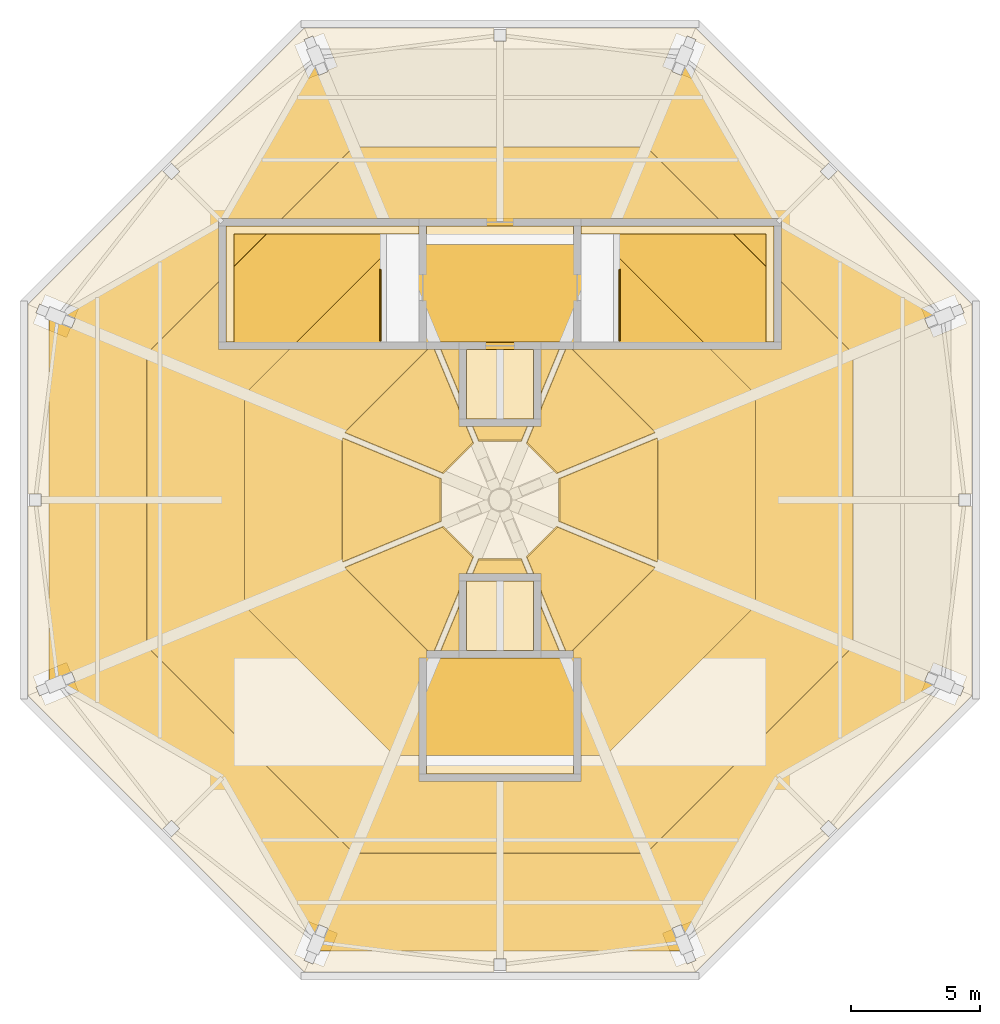
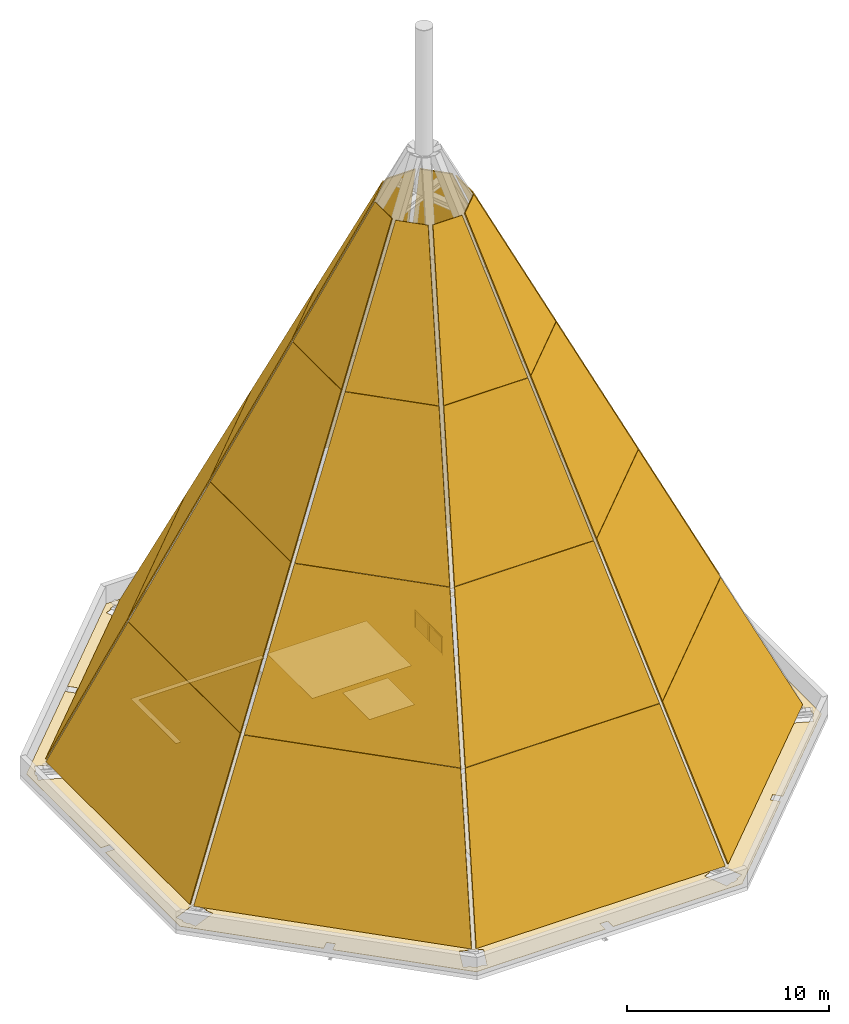
# One storey, part 3 of 4: 30 shading devices, 7 coverings, 2 railings.
"""IFC4 building model written with IfcOpenShell, lengths in metres."""

from ifc_helpers import new_model, si_unit, direction, frame, origin, origin_2d, place, context, subcontext, project, spatial, polyline, circle, outline, extrude, material, layer, layer_set, type_object, element, save


model = new_model("IFC4")

# Units and contexts
model_context = context("Model", 3, precision=1e-05, world=origin(), true_north=direction((0.0, 1.0)))
body_context = subcontext(model_context, "Body", "Model", "MODEL_VIEW")
ifc_project = project(units=[si_unit("LENGTHUNIT", "METRE"), si_unit("AREAUNIT", "SQUARE_METRE"), si_unit("VOLUMEUNIT", "CUBIC_METRE"), si_unit("PLANEANGLEUNIT", "RADIAN"), si_unit("MASSUNIT", "GRAM", prefix="KILO")], contexts=[model_context])

# Site, building, storey
site_placement = place(None, origin())
site = spatial("IfcSite", under=ifc_project, at=site_placement, CompositionType="ELEMENT")
building_placement = place(site_placement, origin())
building = spatial("IfcBuilding", under=site, at=building_placement, Name="Mashrafa Tower", CompositionType="ELEMENT")
storey_placement = place(building_placement, frame((0.0, 0.0, 323.60009765625)))
storey = spatial("IfcBuildingStorey", under=building, at=storey_placement, Name="RF", CompositionType="ELEMENT", Elevation=323.60009765625)

# Shading devices
ifc_material_1 = material(Name="Perforated aluminium plate, eight-point star pattern", Category="aluminium")
ifc_layer_1 = layer(ifc_material_1, 0.06005859375)
ifc_layer_set_1 = layer_set([ifc_layer_1], Name="Mashrabiya screen panel crown, 50 percent open")
shading_device_type = type_object("IfcShadingDeviceType", Name="Mashrabiya screen panel crown, 50 percent open", PredefinedType="SHUTTER", material=ifc_layer_set_1)
shading_device_1_placement = place(storey_placement, frame((17.431396484375, 7.35107421875, 0.748046875), z_axis=(0.640165482958, 0.640165482958, 0.424707321408), x_axis=(-0.707106781187, 0.707106781187, 0.0)))
element("IfcShadingDevice", 1, at=shading_device_1_placement, inside=storey, type_object=shading_device_type, Name="Crown screen panel 1 tier 1", PredefinedType="SHUTTER", context=body_context, shape_type="SweptSolid", body=[
    extrude(outline(polyline([(0.0, 0.0), (14.25572846113836, 0.0), (12.685626855940203, 8.92500171721466), (1.5701016051981567, 8.92500171721466), (0.0, 0.0)])), origin(), (0.0, 0.0, -1.0), 0.06005859375),
])
shading_device_2_placement = place(storey_placement, frame((13.63134765625, 5.777099609375, 8.84814453125), z_axis=(0.64017074185, 0.64017074185, 0.42469146749), x_axis=(-0.707106781187, 0.707106781187, 0.0)))
element("IfcShadingDevice", 2, at=shading_device_2_placement, inside=storey, type_object=shading_device_type, Name="Crown screen panel 1 tier 2", PredefinedType="SHUTTER", context=body_context, shape_type="SweptSolid", body=[
    extrude(outline(polyline([(0.0, 0.0), (11.107584110133018, 0.0), (9.537655138426363, 8.924928399875352), (1.569928971706656, 8.924928399875354), (0.0, 0.0)])), origin(), (0.0, 0.0, -1.0), 0.06005859375),
])
shading_device_3_placement = place(storey_placement, frame((9.83154296875, 4.203369140625, 16.9482421875), z_axis=(0.640161993867, 0.640161993867, 0.424717839533), x_axis=(-0.707106781187, 0.707106781187, 0.0)))
element("IfcShadingDevice", 3, at=shading_device_3_placement, inside=storey, type_object=shading_device_type, Name="Crown screen panel 1 tier 3", PredefinedType="SHUTTER", context=body_context, shape_type="SweptSolid", body=[
    extrude(outline(polyline([(0.0, 0.0), (7.959439759127676, 0.0), (6.38933815392952, 8.924780689812064), (1.5701016051981567, 8.924780689812064), (0.0, 0.0)])), origin(), (0.0, 0.0, -1.0), 0.06005859375),
])
shading_device_4_placement = place(storey_placement, frame((6.03173828125, 2.62939453125, 25.048095703125), z_axis=(0.640165482958, 0.640165482958, 0.424707321408), x_axis=(-0.707106781187, 0.707106781187, 0.0)))
element("IfcShadingDevice", 4, at=shading_device_4_placement, inside=storey, type_object=shading_device_type, Name="Crown screen panel 1 tier 4", PredefinedType="SHUTTER", context=body_context, shape_type="SweptSolid", body=[
    extrude(outline(polyline([(0.0, 0.0), (4.811640675105336, 0.0), (3.2415390699071787, 8.92500171721466), (1.5701016051981567, 8.92500171721466), (0.0, 0.0)])), origin(), (0.0, 0.0, -1.0), 0.06005859375),
])
shading_device_5_placement = place(storey_placement, frame((5.5537109375, 13.723876953125, 8.84814453125), z_axis=(0.0, 0.90534063265, 0.424686165153), x_axis=(-1.0, 0.0, 0.0)))
element("IfcShadingDevice", 5, at=shading_device_5_placement, inside=storey, type_object=shading_device_type, Name="Crown screen panel 2 tier 2", PredefinedType="SHUTTER", context=body_context, shape_type="SweptSolid", body=[
    extrude(outline(polyline([(0.0, 0.0), (11.107421875, 0.0), (9.537353515625, 8.924903879930307), (1.570068359375, 8.924903879930307), (0.0, 0.0)])), origin(), (0.0, 0.0, -1.0), 0.06005859375),
])
shading_device_6_placement = place(storey_placement, frame((3.979736328125, 9.924072265625, 16.9482421875), z_axis=(0.0, 0.905325180549, 0.424719104191), x_axis=(-1.0, 0.0, 0.0)))
element("IfcShadingDevice", 6, at=shading_device_6_placement, inside=storey, type_object=shading_device_type, Name="Crown screen panel 2 tier 3", PredefinedType="SHUTTER", context=body_context, shape_type="SweptSolid", body=[
    extrude(outline(polyline([(0.0, 0.0), (7.95947265625, 0.0), (6.389404296875, 8.924786538555285), (1.570068359375, 8.924786538555285), (0.0, 0.0)])), origin(), (0.0, 0.0, -1.0), 0.06005859375),
])
shading_device_7_placement = place(storey_placement, frame((2.40576171875, 6.124267578125, 25.048095703125), z_axis=(0.0, 0.905330114895, 0.424708586049), x_axis=(-1.0, 0.0, 0.0)))
element("IfcShadingDevice", 7, at=shading_device_7_placement, inside=storey, type_object=shading_device_type, Name="Crown screen panel 2 tier 4", PredefinedType="SHUTTER", context=body_context, shape_type="SweptSolid", body=[
    extrude(outline(polyline([(0.0, 0.0), (4.8115234375, 0.0), (3.241455078125, 8.925007565813036), (1.570068359375, 8.925007565813036), (0.0, 0.0)])), origin(), (0.0, 0.0, -1.0), 0.06005859375),
])
shading_device_8_placement = place(storey_placement, frame((-7.35107421875, 17.431396484375, 0.748046875), z_axis=(-0.640165482958, 0.640165482958, 0.424707321408), x_axis=(-0.707106781187, -0.707106781187, 0.0)))
element("IfcShadingDevice", 8, at=shading_device_8_placement, inside=storey, type_object=shading_device_type, Name="Crown screen panel 3 tier 1", PredefinedType="SHUTTER", context=body_context, shape_type="SweptSolid", body=[
    extrude(outline(polyline([(0.0, 0.0), (14.25572846113836, 0.0), (12.685626855940203, 8.92500171721466), (1.5701016051981567, 8.92500171721466), (0.0, 0.0)])), origin(), (0.0, 0.0, -1.0), 0.06005859375),
])
shading_device_9_placement = place(storey_placement, frame((-5.777099609375, 13.63134765625, 8.84814453125), z_axis=(-0.64017074185, 0.64017074185, 0.42469146749), x_axis=(-0.707106781187, -0.707106781187, 0.0)))
element("IfcShadingDevice", 9, at=shading_device_9_placement, inside=storey, type_object=shading_device_type, Name="Crown screen panel 3 tier 2", PredefinedType="SHUTTER", context=body_context, shape_type="SweptSolid", body=[
    extrude(outline(polyline([(0.0, 0.0), (11.107584110133018, 0.0), (9.537655138426363, 8.924928399875352), (1.569928971706656, 8.924928399875354), (0.0, 0.0)])), origin(), (0.0, 0.0, -1.0), 0.06005859375),
])
shading_device_10_placement = place(storey_placement, frame((-4.203369140625, 9.83154296875, 16.9482421875), z_axis=(-0.640161993867, 0.640161993867, 0.424717839533), x_axis=(-0.707106781187, -0.707106781187, 0.0)))
element("IfcShadingDevice", 10, at=shading_device_10_placement, inside=storey, type_object=shading_device_type, Name="Crown screen panel 3 tier 3", PredefinedType="SHUTTER", context=body_context, shape_type="SweptSolid", body=[
    extrude(outline(polyline([(0.0, 0.0), (7.959439759127676, 0.0), (6.38933815392952, 8.924780689812064), (1.5701016051981567, 8.924780689812064), (0.0, 0.0)])), origin(), (0.0, 0.0, -1.0), 0.06005859375),
])
shading_device_11_placement = place(storey_placement, frame((-2.62939453125, 6.03173828125, 25.048095703125), z_axis=(-0.640165482958, 0.640165482958, 0.424707321408), x_axis=(-0.707106781187, -0.707106781187, 0.0)))
element("IfcShadingDevice", 11, at=shading_device_11_placement, inside=storey, type_object=shading_device_type, Name="Crown screen panel 3 tier 4", PredefinedType="SHUTTER", context=body_context, shape_type="SweptSolid", body=[
    extrude(outline(polyline([(0.0, 0.0), (4.811640675105336, 0.0), (3.2415390699071787, 8.92500171721466), (1.5701016051981567, 8.92500171721466), (0.0, 0.0)])), origin(), (0.0, 0.0, -1.0), 0.06005859375),
])
shading_device_12_placement = place(storey_placement, frame((-17.52392578125, 7.127685546875, 0.748046875), z_axis=(-0.905330114895, 0.0, 0.424708586049), x_axis=(0.0, -1.0, 0.0)))
element("IfcShadingDevice", 12, at=shading_device_12_placement, inside=storey, type_object=shading_device_type, Name="Crown screen panel 4 tier 1", PredefinedType="SHUTTER", context=body_context, shape_type="SweptSolid", body=[
    extrude(outline(polyline([(0.0, 0.0), (14.25537109375, 0.0), (12.685302734375, 8.925007565813036), (1.570068359375, 8.925007565813036), (0.0, 0.0)])), origin(), (0.0, 0.0, -1.0), 0.06005859375),
])
shading_device_13_placement = place(storey_placement, frame((-13.723876953125, 5.5537109375, 8.84814453125), z_axis=(-0.90534063265, 0.0, 0.424686165153), x_axis=(0.0, -1.0, 0.0)))
element("IfcShadingDevice", 13, at=shading_device_13_placement, inside=storey, type_object=shading_device_type, Name="Crown screen panel 4 tier 2", PredefinedType="SHUTTER", context=body_context, shape_type="SweptSolid", body=[
    extrude(outline(polyline([(0.0, 0.0), (11.107421875, 0.0), (9.537353515625, 8.924903879930307), (1.570068359375, 8.924903879930307), (0.0, 0.0)])), origin(), (0.0, 0.0, -1.0), 0.06005859375),
])
shading_device_14_placement = place(storey_placement, frame((-9.924072265625, 3.979736328125, 16.9482421875), z_axis=(-0.905325180549, 0.0, 0.424719104191), x_axis=(0.0, -1.0, 0.0)))
element("IfcShadingDevice", 14, at=shading_device_14_placement, inside=storey, type_object=shading_device_type, Name="Crown screen panel 4 tier 3", PredefinedType="SHUTTER", context=body_context, shape_type="SweptSolid", body=[
    extrude(outline(polyline([(0.0, 0.0), (7.95947265625, 0.0), (6.389404296875, 8.924786538555285), (1.570068359375, 8.924786538555285), (0.0, 0.0)])), origin(), (0.0, 0.0, -1.0), 0.06005859375),
])
shading_device_15_placement = place(storey_placement, frame((-6.124267578125, 2.40576171875, 25.048095703125), z_axis=(-0.905330114895, 0.0, 0.424708586049), x_axis=(0.0, -1.0, 0.0)))
element("IfcShadingDevice", 15, at=shading_device_15_placement, inside=storey, type_object=shading_device_type, Name="Crown screen panel 4 tier 4", PredefinedType="SHUTTER", context=body_context, shape_type="SweptSolid", body=[
    extrude(outline(polyline([(0.0, 0.0), (4.8115234375, 0.0), (3.241455078125, 8.925007565813036), (1.570068359375, 8.925007565813036), (0.0, 0.0)])), origin(), (0.0, 0.0, -1.0), 0.06005859375),
])
shading_device_16_placement = place(storey_placement, frame((-17.431396484375, -7.35107421875, 0.748046875), z_axis=(-0.640165482958, -0.640165482958, 0.424707321408), x_axis=(0.707106781187, -0.707106781187, 0.0)))
element("IfcShadingDevice", 16, at=shading_device_16_placement, inside=storey, type_object=shading_device_type, Name="Crown screen panel 5 tier 1", PredefinedType="SHUTTER", context=body_context, shape_type="SweptSolid", body=[
    extrude(outline(polyline([(0.0, 0.0), (14.25572846113836, 0.0), (12.685626855940203, 8.92500171721466), (1.5701016051981567, 8.92500171721466), (0.0, 0.0)])), origin(), (0.0, 0.0, -1.0), 0.06005859375),
])
shading_device_17_placement = place(storey_placement, frame((-13.63134765625, -5.777099609375, 8.84814453125), z_axis=(-0.64017074185, -0.64017074185, 0.42469146749), x_axis=(0.707106781187, -0.707106781187, 0.0)))
element("IfcShadingDevice", 17, at=shading_device_17_placement, inside=storey, type_object=shading_device_type, Name="Crown screen panel 5 tier 2", PredefinedType="SHUTTER", context=body_context, shape_type="SweptSolid", body=[
    extrude(outline(polyline([(0.0, 0.0), (11.107584110133018, 0.0), (9.537655138426363, 8.924928399875352), (1.569928971706656, 8.924928399875354), (0.0, 0.0)])), origin(), (0.0, 0.0, -1.0), 0.06005859375),
])
shading_device_18_placement = place(storey_placement, frame((-9.83154296875, -4.203369140625, 16.9482421875), z_axis=(-0.640161993867, -0.640161993867, 0.424717839533), x_axis=(0.707106781187, -0.707106781187, 0.0)))
element("IfcShadingDevice", 18, at=shading_device_18_placement, inside=storey, type_object=shading_device_type, Name="Crown screen panel 5 tier 3", PredefinedType="SHUTTER", context=body_context, shape_type="SweptSolid", body=[
    extrude(outline(polyline([(0.0, 0.0), (7.959439759127676, 0.0), (6.38933815392952, 8.924780689812064), (1.5701016051981567, 8.924780689812064), (0.0, 0.0)])), origin(), (0.0, 0.0, -1.0), 0.06005859375),
])
shading_device_19_placement = place(storey_placement, frame((-6.03173828125, -2.62939453125, 25.048095703125), z_axis=(-0.640165482958, -0.640165482958, 0.424707321408), x_axis=(0.707106781187, -0.707106781187, 0.0)))
element("IfcShadingDevice", 19, at=shading_device_19_placement, inside=storey, type_object=shading_device_type, Name="Crown screen panel 5 tier 4", PredefinedType="SHUTTER", context=body_context, shape_type="SweptSolid", body=[
    extrude(outline(polyline([(0.0, 0.0), (4.811640675105336, 0.0), (3.2415390699071787, 8.92500171721466), (1.5701016051981567, 8.92500171721466), (0.0, 0.0)])), origin(), (0.0, 0.0, -1.0), 0.06005859375),
])
shading_device_20_placement = place(storey_placement, frame((-7.127685546875, -17.52392578125, 0.748046875), z_axis=(0.0, -0.905330114895, 0.424708586049), x_axis=(1.0, 0.0, 0.0)))
element("IfcShadingDevice", 20, at=shading_device_20_placement, inside=storey, type_object=shading_device_type, Name="Crown screen panel 6 tier 1", PredefinedType="SHUTTER", context=body_context, shape_type="SweptSolid", body=[
    extrude(outline(polyline([(0.0, 0.0), (14.25537109375, 0.0), (12.685302734375, 8.925007565813036), (1.570068359375, 8.925007565813036), (0.0, 0.0)])), origin(), (0.0, 0.0, -1.0), 0.06005859375),
])
shading_device_21_placement = place(storey_placement, frame((-5.5537109375, -13.723876953125, 8.84814453125), z_axis=(0.0, -0.90534063265, 0.424686165153), x_axis=(1.0, 0.0, 0.0)))
element("IfcShadingDevice", 21, at=shading_device_21_placement, inside=storey, type_object=shading_device_type, Name="Crown screen panel 6 tier 2", PredefinedType="SHUTTER", context=body_context, shape_type="SweptSolid", body=[
    extrude(outline(polyline([(0.0, 0.0), (11.107421875, 0.0), (9.537353515625, 8.924903879930307), (1.570068359375, 8.924903879930307), (0.0, 0.0)])), origin(), (0.0, 0.0, -1.0), 0.06005859375),
])
shading_device_22_placement = place(storey_placement, frame((-3.979736328125, -9.924072265625, 16.9482421875), z_axis=(0.0, -0.905325180549, 0.424719104191), x_axis=(1.0, 0.0, 0.0)))
element("IfcShadingDevice", 22, at=shading_device_22_placement, inside=storey, type_object=shading_device_type, Name="Crown screen panel 6 tier 3", PredefinedType="SHUTTER", context=body_context, shape_type="SweptSolid", body=[
    extrude(outline(polyline([(0.0, 0.0), (7.95947265625, 0.0), (6.389404296875, 8.924786538555285), (1.570068359375, 8.924786538555285), (0.0, 0.0)])), origin(), (0.0, 0.0, -1.0), 0.06005859375),
])
shading_device_23_placement = place(storey_placement, frame((-2.40576171875, -6.124267578125, 25.048095703125), z_axis=(0.0, -0.905330114895, 0.424708586049), x_axis=(1.0, 0.0, 0.0)))
element("IfcShadingDevice", 23, at=shading_device_23_placement, inside=storey, type_object=shading_device_type, Name="Crown screen panel 6 tier 4", PredefinedType="SHUTTER", context=body_context, shape_type="SweptSolid", body=[
    extrude(outline(polyline([(0.0, 0.0), (4.8115234375, 0.0), (3.241455078125, 8.925007565813036), (1.570068359375, 8.925007565813036), (0.0, 0.0)])), origin(), (0.0, 0.0, -1.0), 0.06005859375),
])
shading_device_24_placement = place(storey_placement, frame((7.35107421875, -17.431396484375, 0.748046875), z_axis=(0.640165482958, -0.640165482958, 0.424707321408), x_axis=(0.707106781187, 0.707106781187, 0.0)))
element("IfcShadingDevice", 24, at=shading_device_24_placement, inside=storey, type_object=shading_device_type, Name="Crown screen panel 7 tier 1", PredefinedType="SHUTTER", context=body_context, shape_type="SweptSolid", body=[
    extrude(outline(polyline([(0.0, 0.0), (14.25572846113836, 0.0), (12.685626855940203, 8.92500171721466), (1.5701016051981567, 8.92500171721466), (0.0, 0.0)])), origin(), (0.0, 0.0, -1.0), 0.06005859375),
])
shading_device_25_placement = place(storey_placement, frame((5.777099609375, -13.63134765625, 8.84814453125), z_axis=(0.64017074185, -0.64017074185, 0.42469146749), x_axis=(0.707106781187, 0.707106781187, 0.0)))
element("IfcShadingDevice", 25, at=shading_device_25_placement, inside=storey, type_object=shading_device_type, Name="Crown screen panel 7 tier 2", PredefinedType="SHUTTER", context=body_context, shape_type="SweptSolid", body=[
    extrude(outline(polyline([(0.0, 0.0), (11.107584110133018, 0.0), (9.537655138426363, 8.924928399875352), (1.569928971706656, 8.924928399875354), (0.0, 0.0)])), origin(), (0.0, 0.0, -1.0), 0.06005859375),
])
shading_device_26_placement = place(storey_placement, frame((4.203369140625, -9.83154296875, 16.9482421875), z_axis=(0.640161993867, -0.640161993867, 0.424717839533), x_axis=(0.707106781187, 0.707106781187, 0.0)))
element("IfcShadingDevice", 26, at=shading_device_26_placement, inside=storey, type_object=shading_device_type, Name="Crown screen panel 7 tier 3", PredefinedType="SHUTTER", context=body_context, shape_type="SweptSolid", body=[
    extrude(outline(polyline([(0.0, 0.0), (7.959439759127676, 0.0), (6.38933815392952, 8.924780689812064), (1.5701016051981567, 8.924780689812064), (0.0, 0.0)])), origin(), (0.0, 0.0, -1.0), 0.06005859375),
])
shading_device_27_placement = place(storey_placement, frame((2.62939453125, -6.03173828125, 25.048095703125), z_axis=(0.640165482958, -0.640165482958, 0.424707321408), x_axis=(0.707106781187, 0.707106781187, 0.0)))
element("IfcShadingDevice", 27, at=shading_device_27_placement, inside=storey, type_object=shading_device_type, Name="Crown screen panel 7 tier 4", PredefinedType="SHUTTER", context=body_context, shape_type="SweptSolid", body=[
    extrude(outline(polyline([(0.0, 0.0), (4.811640675105336, 0.0), (3.2415390699071787, 8.92500171721466), (1.5701016051981567, 8.92500171721466), (0.0, 0.0)])), origin(), (0.0, 0.0, -1.0), 0.06005859375),
])
shading_device_28_placement = place(storey_placement, frame((13.723876953125, -5.5537109375, 8.84814453125), z_axis=(0.90534063265, 0.0, 0.424686165153), x_axis=(0.0, 1.0, 0.0)))
element("IfcShadingDevice", 28, at=shading_device_28_placement, inside=storey, type_object=shading_device_type, Name="Crown screen panel 8 tier 2", PredefinedType="SHUTTER", context=body_context, shape_type="SweptSolid", body=[
    extrude(outline(polyline([(0.0, 0.0), (11.107421875, 0.0), (9.537353515625, 8.924903879930307), (1.570068359375, 8.924903879930307), (0.0, 0.0)])), origin(), (0.0, 0.0, -1.0), 0.06005859375),
])
shading_device_29_placement = place(storey_placement, frame((9.924072265625, -3.979736328125, 16.9482421875), z_axis=(0.905325180549, 0.0, 0.424719104191), x_axis=(0.0, 1.0, 0.0)))
element("IfcShadingDevice", 29, at=shading_device_29_placement, inside=storey, type_object=shading_device_type, Name="Crown screen panel 8 tier 3", PredefinedType="SHUTTER", context=body_context, shape_type="SweptSolid", body=[
    extrude(outline(polyline([(0.0, 0.0), (7.95947265625, 0.0), (6.389404296875, 8.924786538555285), (1.570068359375, 8.924786538555285), (0.0, 0.0)])), origin(), (0.0, 0.0, -1.0), 0.06005859375),
])
shading_device_30_placement = place(storey_placement, frame((6.124267578125, -2.40576171875, 25.048095703125), z_axis=(0.905330114895, 0.0, 0.424708586049), x_axis=(0.0, 1.0, 0.0)))
element("IfcShadingDevice", 30, at=shading_device_30_placement, inside=storey, type_object=shading_device_type, Name="Crown screen panel 8 tier 4", PredefinedType="SHUTTER", context=body_context, shape_type="SweptSolid", body=[
    extrude(outline(polyline([(0.0, 0.0), (4.8115234375, 0.0), (3.241455078125, 8.925007565813036), (1.570068359375, 8.925007565813036), (0.0, 0.0)])), origin(), (0.0, 0.0, -1.0), 0.06005859375),
])

# Coverings
ifc_material_2 = material(Name="Bituminous membrane")
ifc_layer_2 = layer(ifc_material_2, 0.02001953125)
ifc_layer_set_2 = layer_set([ifc_layer_2], Name="Roofing membrane 20")
covering_type = type_object("IfcCoveringType", Name="Roofing membrane 20", PredefinedType="ROOFING", material=ifc_layer_set_2)
covering_1_placement = place(storey_placement, origin())
element("IfcCovering", 31, at=covering_1_placement, inside=storey, type_object=covering_type, Name="Roof waterproofing membrane RF 01", PredefinedType="ROOFING", context=body_context, shape_type="SweptSolid", body=[
    extrude(outline(polyline([(-0.22705078125, 18.35888671875), (-7.60400390625, 18.35888671875), (-12.821044921875, 13.14208984375), (-12.77099609375, 13.092041015625), (-12.449951171875, 12.77099609375), (-12.448974609375, 12.77001953125), (-12.77001953125, 12.448974609375), (-12.77099609375, 12.449951171875), (-13.092041015625, 12.77099609375), (-13.14208984375, 12.821044921875), (-18.35888671875, 7.60400390625), (-18.35888671875, 0.22705078125), (-18.287109375, 0.22705078125), (-17.833984375, 0.22705078125), (-17.8330078125, 0.22705078125), (-17.8330078125, -0.22705078125), (-17.833984375, -0.22705078125), (-18.287109375, -0.22705078125), (-18.35888671875, -0.22705078125), (-18.35888671875, -7.60400390625), (-13.14208984375, -12.821044921875), (-13.092041015625, -12.77099609375), (-12.77099609375, -12.449951171875), (-12.77001953125, -12.448974609375), (-12.448974609375, -12.77001953125), (-12.449951171875, -12.77099609375), (-12.77099609375, -13.092041015625), (-12.821044921875, -13.14208984375), (-7.60400390625, -18.35888671875), (-0.22705078125, -18.35888671875), (-0.22705078125, -18.287109375), (-0.22705078125, -17.833984375), (-0.22705078125, -17.8330078125), (0.22705078125, -17.8330078125), (0.22705078125, -17.833984375), (0.22705078125, -18.287109375), (0.22705078125, -18.35888671875), (7.60400390625, -18.35888671875), (12.821044921875, -13.14208984375), (12.77099609375, -13.092041015625), (12.449951171875, -12.77099609375), (12.448974609375, -12.77001953125), (12.77001953125, -12.448974609375), (12.77099609375, -12.449951171875), (13.092041015625, -12.77099609375), (13.14208984375, -12.821044921875), (18.35888671875, -7.60400390625), (18.35888671875, -0.22705078125), (18.287109375, -0.22705078125), (17.833984375, -0.22705078125), (17.8330078125, -0.22705078125), (17.8330078125, 0.22705078125), (17.833984375, 0.22705078125), (18.287109375, 0.22705078125), (18.35888671875, 0.22705078125), (18.35888671875, 7.60400390625), (13.14208984375, 12.821044921875), (13.092041015625, 12.77099609375), (12.77099609375, 12.449951171875), (12.77001953125, 12.448974609375), (12.448974609375, 12.77001953125), (12.449951171875, 12.77099609375), (12.77099609375, 13.092041015625), (12.821044921875, 13.14208984375), (7.60400390625, 18.35888671875), (0.22705078125, 18.35888671875), (0.22705078125, 18.287109375), (0.22705078125, 17.833984375), (0.22705078125, 17.8330078125), (-0.22705078125, 17.8330078125), (-0.22705078125, 17.833984375), (-0.22705078125, 18.287109375), (-0.22705078125, 18.35888671875)]), holes=[polyline([(3.152099609375, -6.14794921875), (3.152099609375, -10.35009765625), (3.152099609375, -10.64794921875), (3.152099609375, -10.652099609375), (3.152099609375, -10.951904296875), (-3.152099609375, -10.951904296875), (-3.152099609375, -10.652099609375), (-3.152099609375, -10.64794921875), (-3.152099609375, -10.35009765625), (-3.152099609375, -6.14794921875), (-2.85205078125, -6.14794921875), (-2.85205078125, -5.847900390625), (-1.60205078125, -5.847900390625), (-1.60205078125, -3.152099609375), (-1.60205078125, -2.847900390625), (1.60205078125, -2.847900390625), (1.60205078125, -3.152099609375), (1.60205078125, -5.847900390625), (2.85205078125, -5.847900390625), (2.85205078125, -6.14794921875), (3.152099609375, -6.14794921875)]), polyline([(10.951904296875, 5.847900390625), (10.35009765625, 5.847900390625), (2.85205078125, 5.847900390625), (2.847900390625, 5.847900390625), (1.60205078125, 5.847900390625), (1.60205078125, 3.152099609375), (1.60205078125, 2.847900390625), (-1.60205078125, 2.847900390625), (-1.60205078125, 3.152099609375), (-1.60205078125, 5.847900390625), (-2.847900390625, 5.847900390625), (-2.85205078125, 5.847900390625), (-10.35009765625, 5.847900390625), (-10.951904296875, 5.847900390625), (-10.951904296875, 6.14794921875), (-10.951904296875, 10.652099609375), (-10.951904296875, 10.951904296875), (-3.152099609375, 10.951904296875), (-2.847900390625, 10.951904296875), (2.847900390625, 10.951904296875), (3.152099609375, 10.951904296875), (10.951904296875, 10.951904296875), (10.951904296875, 10.652099609375), (10.951904296875, 6.14794921875), (10.951904296875, 5.847900390625)]), polyline([(-7.903076171875, -17.506103515625), (-7.443115234375, -16.39599609375), (-7.05908203125, -16.554931640625), (-7.0400390625, -16.509033203125), (-6.696044921875, -16.65087890625), (-6.715087890625, -16.697998046875), (-6.3310546875, -16.85693359375), (-6.402099609375, -17.028076171875), (-6.862060546875, -18.137939453125), (-7.24609375, -17.97900390625), (-7.27099609375, -18.041015625), (-7.614990234375, -17.89794921875), (-7.590087890625, -17.8369140625), (-7.97412109375, -17.677978515625), (-7.903076171875, -17.506103515625)]), polyline([(-17.028076171875, -6.402099609375), (-16.85693359375, -6.3310546875), (-16.697998046875, -6.715087890625), (-16.65087890625, -6.696044921875), (-16.509033203125, -7.0400390625), (-16.554931640625, -7.05908203125), (-16.39599609375, -7.443115234375), (-17.506103515625, -7.903076171875), (-17.677978515625, -7.97412109375), (-17.8369140625, -7.590087890625), (-17.89794921875, -7.614990234375), (-18.041015625, -7.27099609375), (-17.97900390625, -7.24609375), (-18.137939453125, -6.862060546875), (-17.028076171875, -6.402099609375)]), polyline([(-18.041015625, 7.27099609375), (-17.89794921875, 7.614990234375), (-17.8369140625, 7.590087890625), (-17.677978515625, 7.97412109375), (-17.506103515625, 7.903076171875), (-16.39599609375, 7.443115234375), (-16.554931640625, 7.05908203125), (-16.509033203125, 7.0400390625), (-16.65087890625, 6.696044921875), (-16.697998046875, 6.715087890625), (-16.85693359375, 6.3310546875), (-17.028076171875, 6.402099609375), (-18.137939453125, 6.862060546875), (-17.97900390625, 7.24609375), (-18.041015625, 7.27099609375)]), polyline([(-7.614990234375, 17.89794921875), (-7.27099609375, 18.041015625), (-7.24609375, 17.97900390625), (-6.862060546875, 18.137939453125), (-6.402099609375, 17.028076171875), (-6.3310546875, 16.85693359375), (-6.715087890625, 16.697998046875), (-6.696044921875, 16.65087890625), (-7.0400390625, 16.509033203125), (-7.05908203125, 16.554931640625), (-7.443115234375, 16.39599609375), (-7.903076171875, 17.506103515625), (-7.97412109375, 17.677978515625), (-7.590087890625, 17.8369140625), (-7.614990234375, 17.89794921875)]), polyline([(7.443115234375, -16.39599609375), (7.903076171875, -17.506103515625), (7.97412109375, -17.677978515625), (7.590087890625, -17.8369140625), (7.614990234375, -17.89794921875), (7.27099609375, -18.041015625), (7.24609375, -17.97900390625), (6.862060546875, -18.137939453125), (6.402099609375, -17.028076171875), (6.3310546875, -16.85693359375), (6.715087890625, -16.697998046875), (6.696044921875, -16.65087890625), (7.0400390625, -16.509033203125), (7.05908203125, -16.554931640625), (7.443115234375, -16.39599609375)]), polyline([(16.85693359375, -6.3310546875), (17.028076171875, -6.402099609375), (18.137939453125, -6.862060546875), (17.97900390625, -7.24609375), (18.041015625, -7.27099609375), (17.89794921875, -7.614990234375), (17.8369140625, -7.590087890625), (17.677978515625, -7.97412109375), (17.506103515625, -7.903076171875), (16.39599609375, -7.443115234375), (16.554931640625, -7.05908203125), (16.509033203125, -7.0400390625), (16.65087890625, -6.696044921875), (16.697998046875, -6.715087890625), (16.85693359375, -6.3310546875)]), polyline([(16.39599609375, 7.443115234375), (17.506103515625, 7.903076171875), (17.677978515625, 7.97412109375), (17.8369140625, 7.590087890625), (17.89794921875, 7.614990234375), (18.041015625, 7.27099609375), (17.97900390625, 7.24609375), (18.137939453125, 6.862060546875), (17.028076171875, 6.402099609375), (16.85693359375, 6.3310546875), (16.697998046875, 6.715087890625), (16.65087890625, 6.696044921875), (16.509033203125, 7.0400390625), (16.554931640625, 7.05908203125), (16.39599609375, 7.443115234375)]), polyline([(6.3310546875, 16.85693359375), (6.402099609375, 17.028076171875), (6.862060546875, 18.137939453125), (7.24609375, 17.97900390625), (7.27099609375, 18.041015625), (7.614990234375, 17.89794921875), (7.590087890625, 17.8369140625), (7.97412109375, 17.677978515625), (7.903076171875, 17.506103515625), (7.443115234375, 16.39599609375), (7.05908203125, 16.554931640625), (7.0400390625, 16.509033203125), (6.696044921875, 16.65087890625), (6.715087890625, 16.697998046875), (6.3310546875, 16.85693359375)])]), origin(), (0.0, 0.0, 1.0), 0.02001953125),
])
covering_2_placement = place(storey_placement, origin())
element("IfcCovering", 32, at=covering_2_placement, inside=storey, type_object=covering_type, Name="Roof waterproofing membrane RF 02", PredefinedType="ROOFING", context=body_context, shape_type="SweptSolid", body=[
    extrude(outline(polyline([(2.847900390625, 6.152099609375), (2.847900390625, 10.35009765625), (2.847900390625, 10.64794921875), (-2.847900390625, 10.64794921875), (-2.847900390625, 10.35009765625), (-2.847900390625, 6.152099609375), (-1.60205078125, 6.152099609375), (-1.597900390625, 6.152099609375), (1.597900390625, 6.152099609375), (1.60205078125, 6.152099609375), (2.847900390625, 6.152099609375)])), origin(), (0.0, 0.0, 1.0), 0.02001953125),
])
covering_3_placement = place(storey_placement, origin())
element("IfcCovering", 33, at=covering_3_placement, inside=storey, type_object=covering_type, Name="Roof waterproofing membrane RF 03", PredefinedType="ROOFING", context=body_context, shape_type="SweptSolid", body=[
    extrude(outline(polyline([(2.847900390625, -10.64794921875), (2.847900390625, -10.35009765625), (2.847900390625, -6.152099609375), (1.60205078125, -6.152099609375), (1.597900390625, -6.152099609375), (-1.597900390625, -6.152099609375), (-1.60205078125, -6.152099609375), (-2.847900390625, -6.152099609375), (-2.847900390625, -10.35009765625), (-2.847900390625, -10.64794921875), (2.847900390625, -10.64794921875)])), origin(), (0.0, 0.0, 1.0), 0.02001953125),
])
covering_4_placement = place(storey_placement, origin())
element("IfcCovering", 34, at=covering_4_placement, inside=storey, type_object=covering_type, Name="Roof waterproofing membrane RF 04", PredefinedType="ROOFING", context=body_context, shape_type="SweptSolid", body=[
    extrude(outline(polyline([(1.298095703125, -3.152099609375), (-1.298095703125, -3.152099609375), (-1.298095703125, -5.847900390625), (1.298095703125, -5.847900390625), (1.298095703125, -3.152099609375)])), origin(), (0.0, 0.0, 1.0), 0.02001953125),
])
covering_5_placement = place(storey_placement, origin())
element("IfcCovering", 35, at=covering_5_placement, inside=storey, type_object=covering_type, Name="Roof waterproofing membrane RF 05", PredefinedType="ROOFING", context=body_context, shape_type="SweptSolid", body=[
    extrude(outline(polyline([(1.298095703125, 3.152099609375), (1.298095703125, 5.847900390625), (-1.298095703125, 5.847900390625), (-1.298095703125, 3.152099609375), (1.298095703125, 3.152099609375)])), origin(), (0.0, 0.0, 1.0), 0.02001953125),
])
covering_6_placement = place(storey_placement, origin())
element("IfcCovering", 36, at=covering_6_placement, inside=storey, type_object=covering_type, Name="Roof waterproofing membrane RF 06", PredefinedType="ROOFING", context=body_context, shape_type="SweptSolid", body=[
    extrude(outline(polyline([(-10.35009765625, 6.152099609375), (-10.35009765625, 10.35009765625), (-3.152099609375, 10.35009765625), (-3.152099609375, 10.64794921875), (-10.64794921875, 10.64794921875), (-10.64794921875, 6.152099609375), (-10.35009765625, 6.152099609375)])), origin(), (0.0, 0.0, 1.0), 0.02001953125),
])
covering_7_placement = place(storey_placement, origin())
element("IfcCovering", 37, at=covering_7_placement, inside=storey, type_object=covering_type, Name="Roof waterproofing membrane RF 07", PredefinedType="ROOFING", context=body_context, shape_type="SweptSolid", body=[
    extrude(outline(polyline([(3.152099609375, 10.35009765625), (10.35009765625, 10.35009765625), (10.35009765625, 6.152099609375), (10.64794921875, 6.152099609375), (10.64794921875, 10.64794921875), (3.152099609375, 10.64794921875), (3.152099609375, 10.35009765625)])), origin(), (0.0, 0.0, 1.0), 0.02001953125),
])

# Railings
ifc_material_3 = material(Name="Steel guard with glass infill", Category="steel")
railing_type = type_object("IfcRailingType", Name="Stair guard 1100", PredefinedType="GUARDRAIL", material=ifc_material_3)
for number, where, name in (
    (38, (-4.64990234375, 8.949951171875, 0.0), "Stair S1 guard RF"),
    (39, (4.64990234375, 8.949951171875, 0.0), "Stair S2 guard RF"),
):
    element("IfcRailing", number, at=place(storey_placement, frame(where)), inside=storey, type_object=railing_type, Name=name, PredefinedType="GUARDRAIL", context=body_context, shape_type="SweptSolid", body=[
        extrude(circle(Radius=0.02392578125, at=origin_2d()), frame((0.0, 0.0, 1.076171875), z_axis=(0.0, -1.0, 0.0), x_axis=(1.0, 0.0, 0.0)), (0.0, 0.0, 1.0), 2.75),
        extrude(circle(Radius=0.02099609375, at=origin_2d()), origin(), (0.0, 0.0, 1.0), 1.052001953125),
        extrude(circle(Radius=0.02099609375, at=origin_2d()), frame((0.0, -1.375, 0.0)), (0.0, 0.0, 1.0), 1.052001953125),
        extrude(circle(Radius=0.02099609375, at=origin_2d()), frame((0.0, -2.75, 0.0)), (0.0, 0.0, 1.0), 1.052001953125),
        extrude(outline(polyline([(0.071044921875, 0.050048828125), (1.303955078125, 0.050048828125), (1.303955078125, 1.001953125), (0.071044921875, 1.001953125), (0.071044921875, 0.050048828125)])), frame((-0.006103515625, 0.0, 0.0), z_axis=(-1.0, 0.0, 0.0), x_axis=(0.0, -1.0, 0.0)), (0.0, 0.0, 1.0), 0.011962890625),
        extrude(outline(polyline([(1.446044921875, 0.050048828125), (2.678955078125, 0.050048828125), (2.678955078125, 1.001953125), (1.446044921875, 1.001953125), (1.446044921875, 0.050048828125)])), frame((-0.006103515625, 0.0, 0.0), z_axis=(-1.0, 0.0, 0.0), x_axis=(0.0, -1.0, 0.0)), (0.0, 0.0, 1.0), 0.011962890625),
    ])

save(model, "model.ifc")
